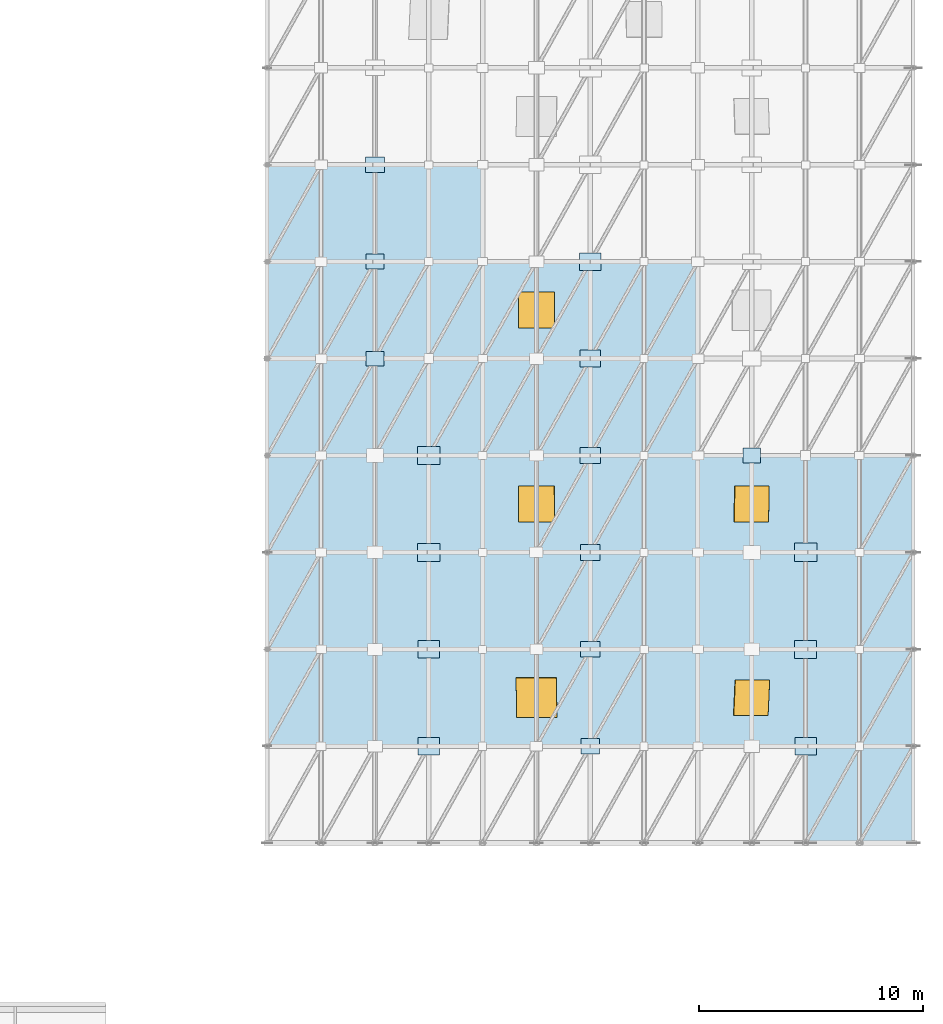
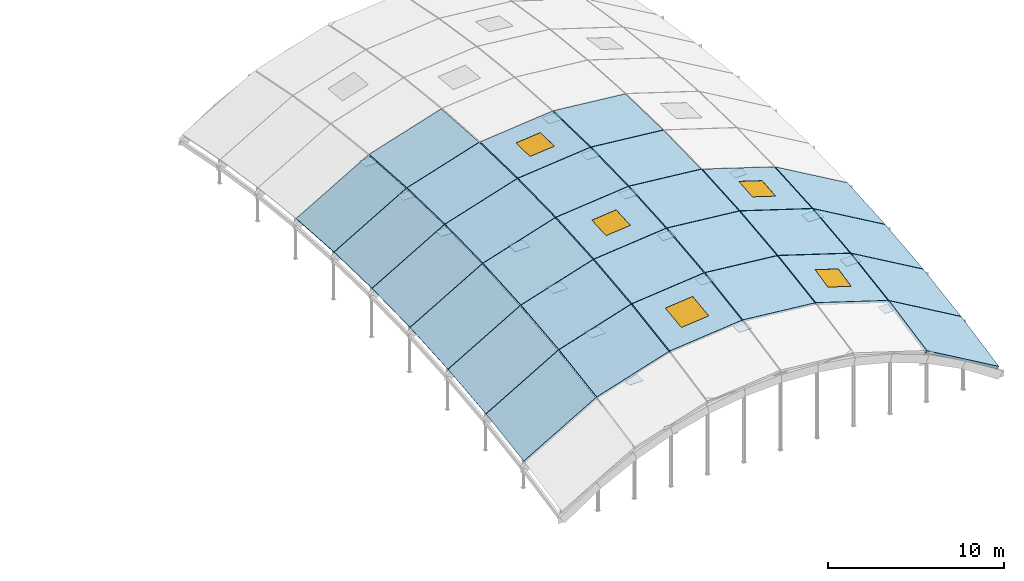
# One storey, part 22 of 35: 29 slabs, 17 plates, 5 windows, 5 openings.
"""IFC4 building model written with IfcOpenShell, lengths in metres."""

from ifc_helpers import new_model, si_unit, direction, frame, origin, origin_2d, place, context, subcontext, project, spatial, polyline, rectangle, outline, extrude, material, layer, layer_set, type_object, element, fill, save


model = new_model("IFC4")

# Units and contexts
model_context = context("Model", 3, precision=1e-05, world=origin(), true_north=direction((0.0, 1.0)))
body_context = subcontext(model_context, "Body", "Model", "MODEL_VIEW")
ifc_project = project(units=[si_unit("LENGTHUNIT", "METRE"), si_unit("AREAUNIT", "SQUARE_METRE"), si_unit("VOLUMEUNIT", "CUBIC_METRE"), si_unit("PLANEANGLEUNIT", "RADIAN"), si_unit("MASSUNIT", "GRAM", prefix="KILO")], contexts=[model_context])

# Site, building, storey
site_placement = place(None, origin())
site = spatial("IfcSite", under=ifc_project, at=site_placement, CompositionType="ELEMENT")
building_placement = place(site_placement, origin())
building = spatial("IfcBuilding", under=site, at=building_placement, Name="Zarrinpeak Specialist Clinic", CompositionType="ELEMENT")
storey_placement = place(building_placement, frame((0.0, 0.0, 31.60009765625)))
storey = spatial("IfcBuildingStorey", under=building, at=storey_placement, Name="RF", CompositionType="ELEMENT", Elevation=31.60009765625)

# Plates
ifc_material_1 = material(Name="Steel S355", Category="steel")
ifc_layer_1 = layer(ifc_material_1, 0.02294921875)
ifc_layer_set_1 = layer_set([ifc_layer_1], Name="Steel S355")
plate_type_1 = type_object("IfcPlateType", Name="PL-ND24", PredefinedType="SHEET", material=ifc_layer_set_1)
for number, where, z_axis, x_axis, name in (
    (1, (98.39990234375, 50.39990234375, -12.415283203125), (0.0, 0.0, 1.0), (1.0, 0.0, 0.0), "V3 Gridshell Hub Node Plate GSN-I02-J05"),
    (2, (115.199951171875, 46.080078125, -11.613037109375), (0.0, 0.0, 1.0), (1.0, 0.0, 0.0), "V3 Gridshell Hub Node Plate GSN-I09-J04"),
):
    element("IfcPlate", number, at=place(storey_placement, frame(where, z_axis=z_axis, x_axis=x_axis)), inside=storey, type_object=plate_type_1, Name=name, PredefinedType="SHEET", context=body_context, shape_type="SweptSolid", body=[
        extrude(rectangle(XDim=0.7939453125, YDim=0.64794921875, at=origin_2d()), origin(), (0.0, 0.0, 1.0), 0.02294921875),
    ])
ifc_layer_2 = layer(ifc_material_1, 0.014892578125)
ifc_layer_set_2 = layer_set([ifc_layer_2], Name="Steel S355")
plate_type_2 = type_object("IfcPlateType", Name="PL-ND25", PredefinedType="SHEET", material=ifc_layer_set_2)
plate_1_placement = place(storey_placement, frame((98.39990234375, 54.719970703125, -12.50732421875), z_axis=(0.0, 0.0, 1.0), x_axis=(1.0, 0.0, 0.0)))
element("IfcPlate", 3, at=plate_1_placement, inside=storey, type_object=plate_type_2, Name="V3 Gridshell Hub Node Plate GSN-I02-J06", PredefinedType="SHEET", context=body_context, shape_type="SweptSolid", body=[
    extrude(rectangle(XDim=0.81494140625, YDim=0.6650390625, at=origin_2d()), origin(), (0.0, 0.0, 1.0), 0.014892578125),
])
ifc_layer_3 = layer(ifc_material_1, 0.01708984375)
ifc_layer_set_3 = layer_set([ifc_layer_3], Name="Steel S355")
plate_type_3 = type_object("IfcPlateType", Name="PL-ND26", PredefinedType="SHEET", material=ifc_layer_set_3)
for number, where, z_axis, x_axis, name in (
    (4, (98.39990234375, 59.0400390625, -12.796142578125), (0.0, 0.0, 1.0), (1.0, 0.0, 0.0), "V3 Gridshell Hub Node Plate GSN-I02-J07"),
    (5, (108.0, 33.1201171875, -11.944580078125), (0.0, 0.0, 1.0), (1.0, 0.0, 0.0), "V3 Gridshell Hub Node Plate GSN-I06-J01"),
):
    element("IfcPlate", number, at=place(storey_placement, frame(where, z_axis=z_axis, x_axis=x_axis)), inside=storey, type_object=plate_type_3, Name=name, PredefinedType="SHEET", context=body_context, shape_type="SweptSolid", body=[
        extrude(rectangle(XDim=0.8359375, YDim=0.681884765625, at=origin_2d()), origin(), (0.0, 0.0, 1.0), 0.01708984375),
    ])
ifc_layer_4 = layer(ifc_material_1, 0.01904296875)
ifc_layer_set_4 = layer_set([ifc_layer_4], Name="Steel S355")
plate_type_4 = type_object("IfcPlateType", Name="PL-ND27", PredefinedType="SHEET", material=ifc_layer_set_4)
plate_2_placement = place(storey_placement, frame((108.0, 37.43994140625, -11.273681640625), z_axis=(0.0, 0.0, 1.0), x_axis=(1.0, 0.0, 0.0)))
element("IfcPlate", 6, at=plate_2_placement, inside=storey, type_object=plate_type_4, Name="V3 Gridshell Hub Node Plate GSN-I06-J02", PredefinedType="SHEET", context=body_context, shape_type="SweptSolid", body=[
    extrude(rectangle(XDim=0.85693359375, YDim=0.698974609375, at=origin_2d()), origin(), (0.0, 0.0, 1.0), 0.01904296875),
])
ifc_layer_5 = layer(ifc_material_1, 0.02099609375)
ifc_layer_set_5 = layer_set([ifc_layer_5], Name="Steel S355")
plate_type_5 = type_object("IfcPlateType", Name="PL-ND28", PredefinedType="SHEET", material=ifc_layer_set_5)
plate_3_placement = place(storey_placement, frame((108.0, 41.760009765625, -10.794677734375), z_axis=(0.0, 0.0, 1.0), x_axis=(1.0, 0.0, 0.0)))
element("IfcPlate", 7, at=plate_3_placement, inside=storey, type_object=plate_type_5, Name="V3 Gridshell Hub Node Plate GSN-I06-J03", PredefinedType="SHEET", context=body_context, shape_type="SweptSolid", body=[
    extrude(rectangle(XDim=0.8779296875, YDim=0.716064453125, at=origin_2d()), origin(), (0.0, 0.0, 1.0), 0.02099609375),
])
ifc_layer_6 = layer(ifc_material_1, 0.02294921875)
ifc_layer_set_6 = layer_set([ifc_layer_6], Name="Steel S355")
plate_type_6 = type_object("IfcPlateType", Name="PL-ND29", PredefinedType="SHEET", material=ifc_layer_set_6)
plate_4_placement = place(storey_placement, frame((108.0, 46.080078125, -10.507568359375), z_axis=(0.0, 0.0, 1.0), x_axis=(1.0, 0.0, 0.0)))
element("IfcPlate", 8, at=plate_4_placement, inside=storey, type_object=plate_type_6, Name="V3 Gridshell Hub Node Plate GSN-I06-J04", PredefinedType="SHEET", context=body_context, shape_type="SweptSolid", body=[
    extrude(rectangle(XDim=0.89892578125, YDim=0.73291015625, at=origin_2d()), origin(), (0.0, 0.0, 1.0), 0.02294921875),
])
ifc_layer_7 = layer(ifc_material_1, 0.014892578125)
ifc_layer_set_7 = layer_set([ifc_layer_7], Name="Steel S355")
plate_type_7 = type_object("IfcPlateType", Name="PL-ND30", PredefinedType="SHEET", material=ifc_layer_set_7)
plate_5_placement = place(storey_placement, frame((108.0, 50.39990234375, -10.40771484375), z_axis=(0.0, 0.0, 1.0), x_axis=(1.0, 0.0, 0.0)))
element("IfcPlate", 9, at=plate_5_placement, inside=storey, type_object=plate_type_7, Name="V3 Gridshell Hub Node Plate GSN-I06-J05", PredefinedType="SHEET", context=body_context, shape_type="SweptSolid", body=[
    extrude(rectangle(XDim=0.919921875, YDim=0.75, at=origin_2d()), origin(), (0.0, 0.0, 1.0), 0.014892578125),
])
ifc_layer_8 = layer(ifc_material_1, 0.01708984375)
ifc_layer_set_8 = layer_set([ifc_layer_8], Name="Steel S355")
plate_type_8 = type_object("IfcPlateType", Name="PL-ND31", PredefinedType="SHEET", material=ifc_layer_set_8)
for number, where, z_axis, x_axis, name in (
    (10, (100.800048828125, 33.1201171875, -13.050048828125), (0.0, 0.0, 1.0), (1.0, 0.0, 0.0), "V3 Gridshell Hub Node Plate GSN-I03-J01"),
    (11, (108.0, 54.719970703125, -10.504638671875), (0.0, 0.0, 1.0), (1.0, 0.0, 0.0), "V3 Gridshell Hub Node Plate GSN-I06-J06"),
):
    element("IfcPlate", number, at=place(storey_placement, frame(where, z_axis=z_axis, x_axis=x_axis)), inside=storey, type_object=plate_type_8, Name=name, PredefinedType="SHEET", context=body_context, shape_type="SweptSolid", body=[
        extrude(rectangle(XDim=0.94091796875, YDim=0.76708984375, at=origin_2d()), origin(), (0.0, 0.0, 1.0), 0.01708984375),
    ])
ifc_layer_9 = layer(ifc_material_1, 0.01904296875)
ifc_layer_set_9 = layer_set([ifc_layer_9], Name="Steel S355")
plate_type_9 = type_object("IfcPlateType", Name="PL-ND32", PredefinedType="SHEET", material=ifc_layer_set_9)
for number, where, z_axis, x_axis, name in (
    (12, (100.800048828125, 37.43994140625, -12.379150390625), (0.0, 0.0, 1.0), (1.0, 0.0, 0.0), "V3 Gridshell Hub Node Plate GSN-I03-J02"),
    (13, (117.60009765625, 33.1201171875, -13.94921875), (0.0, 0.0, 1.0), (1.0, 0.0, 0.0), "V3 Gridshell Hub Node Plate GSN-I10-J01"),
):
    element("IfcPlate", number, at=place(storey_placement, frame(where, z_axis=z_axis, x_axis=x_axis)), inside=storey, type_object=plate_type_9, Name=name, PredefinedType="SHEET", context=body_context, shape_type="SweptSolid", body=[
        extrude(rectangle(XDim=0.9619140625, YDim=0.783935546875, at=origin_2d()), origin(), (0.0, 0.0, 1.0), 0.01904296875),
    ])
ifc_layer_10 = layer(ifc_material_1, 0.02099609375)
ifc_layer_set_10 = layer_set([ifc_layer_10], Name="Steel S355")
plate_type_10 = type_object("IfcPlateType", Name="PL-ND33", PredefinedType="SHEET", material=ifc_layer_set_10)
for number, where, z_axis, x_axis, name in (
    (14, (100.800048828125, 41.760009765625, -11.900146484375), (0.0, 0.0, 1.0), (1.0, 0.0, 0.0), "V3 Gridshell Hub Node Plate GSN-I03-J03"),
    (15, (117.60009765625, 37.43994140625, -13.278076171875), (0.0, 0.0, 1.0), (1.0, 0.0, 0.0), "V3 Gridshell Hub Node Plate GSN-I10-J02"),
):
    element("IfcPlate", number, at=place(storey_placement, frame(where, z_axis=z_axis, x_axis=x_axis)), inside=storey, type_object=plate_type_10, Name=name, PredefinedType="SHEET", context=body_context, shape_type="SweptSolid", body=[
        extrude(rectangle(XDim=0.98291015625, YDim=0.801025390625, at=origin_2d()), origin(), (0.0, 0.0, 1.0), 0.02099609375),
    ])
ifc_layer_11 = layer(ifc_material_1, 0.02294921875)
ifc_layer_set_11 = layer_set([ifc_layer_11], Name="Steel S355")
plate_type_11 = type_object("IfcPlateType", Name="PL-ND34", PredefinedType="SHEET", material=ifc_layer_set_11)
for number, where, z_axis, x_axis, name in (
    (16, (100.800048828125, 46.080078125, -11.613037109375), (0.0, 0.0, 1.0), (1.0, 0.0, 0.0), "V3 Gridshell Hub Node Plate GSN-I03-J04"),
    (17, (117.60009765625, 41.760009765625, -12.799072265625), (0.0, 0.0, 1.0), (1.0, 0.0, 0.0), "V3 Gridshell Hub Node Plate GSN-I10-J03"),
):
    element("IfcPlate", number, at=place(storey_placement, frame(where, z_axis=z_axis, x_axis=x_axis)), inside=storey, type_object=plate_type_11, Name=name, PredefinedType="SHEET", context=body_context, shape_type="SweptSolid", body=[
        extrude(rectangle(XDim=1.00390625, YDim=0.818115234375, at=origin_2d()), origin(), (0.0, 0.0, 1.0), 0.02294921875),
    ])

# Slabs
ifc_material_2 = material(Name="Precast concrete C40/50", Category="concrete")
ifc_layer_12 = layer(ifc_material_2, 0.1650390625)
ifc_layer_set_12 = layer_set([ifc_layer_12], Name="Precast concrete C40/50")
slab_type_1 = type_object("IfcSlabType", Name="SL-GS165", PredefinedType="ROOF", material=ifc_layer_set_12)
slab_1_placement = place(storey_placement, frame((98.431884765625, 33.132080078125, -13.40380859375), z_axis=(-0.298336454683, -0.146725332873, 0.943115600815), x_axis=(0.953434208832, 3.400543e-06, 0.301601076619)))
element("IfcSlab", 18, at=slab_1_placement, inside=storey, type_object=slab_type_1, Name="V3 Translational Gridshell Vault Roof Panel K01-J01", PredefinedType="ROOF", context=body_context, shape_type="SweptSolid", body=[
    extrude(outline(polyline([(0.0, 0.0), (4.9674306700045525, 5.551115123125783e-17), (5.1689790056155305, 4.342882695591802), (0.20162196868632395, 4.342916848896772), (0.0, 0.0)])), origin(), (0.0, 0.0, -1.0), 0.1650390625),
])
slab_2_placement = place(storey_placement, frame((98.431884765625, 37.451904296875, -12.732177734375), z_axis=(-0.299944942498, -0.105335046415, 0.94812317737), x_axis=(0.953427294255, 0.0, 0.301622934422)))
element("IfcSlab", 19, at=slab_2_placement, inside=storey, type_object=slab_type_1, Name="V3 Translational Gridshell Vault Roof Panel K01-J02", PredefinedType="ROOF", context=body_context, shape_type="SweptSolid", body=[
    extrude(outline(polyline([(0.0, 0.0), (4.9674306713386525, 2.7755575615628914e-17), (5.111393766259116, 4.320176630801929), (0.14396309492046364, 4.320176630801929), (0.0, 0.0)])), origin(), (0.0, 0.0, -1.0), 0.1650390625),
])
slab_3_placement = place(storey_placement, frame((98.431884765625, 41.77197265625, -12.252685546875), z_axis=(-0.301015617944, -0.063426628548, 0.95150757251), x_axis=(0.953427294255, 0.0, 0.301622934422)))
element("IfcSlab", 20, at=slab_3_placement, inside=storey, type_object=slab_type_1, Name="V3 Translational Gridshell Vault Roof Panel K01-J03", PredefinedType="ROOF", context=body_context, shape_type="SweptSolid", body=[
    extrude(outline(polyline([(0.0, 0.0), (4.9674306713386525, 0.0), (5.053808528290931, 4.304810295087115), (0.08637785695227819, 4.304810295087115), (0.0, 0.0)])), origin(), (0.0, 0.0, -1.0), 0.1650390625),
])
slab_4_placement = place(storey_placement, frame((98.431884765625, 46.092041015625, -11.96533203125), z_axis=(-0.301555265545, -0.021181316031, 0.953213393566), x_axis=(0.953427294255, 0.0, 0.301622934422)))
element("IfcSlab", 21, at=slab_4_placement, inside=storey, type_object=slab_type_1, Name="V3 Translational Gridshell Vault Roof Panel K01-J04", PredefinedType="ROOF", context=body_context, shape_type="SweptSolid", body=[
    extrude(outline(polyline([(0.0, 0.0), (4.9674306713386525, 3.469446951953614e-18), (4.996223290322745, 4.296862435324744), (0.02879261898409273, 4.296862435324744), (0.0, 0.0)])), origin(), (0.0, 0.0, -1.0), 0.1650390625),
])
slab_5_placement = place(storey_placement, frame((98.431884765625, 50.412109375, -11.869873046875), z_axis=(-0.301555265545, 0.021181316031, 0.953213393566), x_axis=(0.953427294255, 0.0, 0.301622934422)))
element("IfcSlab", 22, at=slab_5_placement, inside=storey, type_object=slab_type_1, Name="V3 Translational Gridshell Vault Roof Panel K01-J05", PredefinedType="ROOF", context=body_context, shape_type="SweptSolid", body=[
    extrude(outline(polyline([(0.0, 0.0), (4.9674306713386525, -3.469446951953614e-18), (4.93863805235456, 4.296862435324743), (-0.02879261898409273, 4.296862435324744), (0.0, 0.0)])), origin(), (0.0, 0.0, -1.0), 0.1650390625),
])
slab_6_placement = place(storey_placement, frame((98.431884765625, 54.73193359375, -11.96630859375), z_axis=(-0.301015617944, 0.063426628548, 0.95150757251), x_axis=(0.953427294255, 0.0, 0.301622934422)))
element("IfcSlab", 23, at=slab_6_placement, inside=storey, type_object=slab_type_1, Name="V3 Translational Gridshell Vault Roof Panel K01-J06", PredefinedType="ROOF", context=body_context, shape_type="SweptSolid", body=[
    extrude(outline(polyline([(0.0, 0.0), (4.9674306713386525, 0.0), (4.881052814386374, 4.304810295087115), (-0.08637785695227819, 4.304810295087115), (0.0, 0.0)])), origin(), (0.0, 0.0, -1.0), 0.1650390625),
])

# Slab, opening, window
slab_7_placement = place(storey_placement, frame((103.23193359375, 33.132080078125, -11.892333984375), z_axis=(-0.099316237718, -0.152965858718, 0.98322821918), x_axis=(0.994937223112, -3.856881e-06, 0.100498368401)))
slab_7 = element("IfcSlab", 24, at=slab_7_placement, inside=storey, type_object=slab_type_1, Name="V3 Translational Gridshell Vault Roof Panel K02-J01", PredefinedType="ROOF", context=body_context, shape_type="SweptSolid", body=[
    extrude(outline(polyline([(0.0, 0.0), (4.760171751671796, 1.3877787807814457e-17), (4.827334023888144, 4.347075730042867), (0.06713773648187651, 4.347038573839314), (0.0, 0.0)])), origin(), (0.0, 0.0, -1.0), 0.1650390625),
])
opening_1_placement = place(slab_7_placement, frame((2.413818359375, 2.173583984375, 0.0)))
opening_1 = element("IfcOpeningElement", 25, at=opening_1_placement, cuts=slab_7, Name="Opening SK-03", PredefinedType="OPENING", context=body_context, shape_type="SweptSolid", body=[
    extrude(rectangle(XDim=1.800048828125, YDim=1.800048828125, at=origin_2d()), frame((0.0, 0.0, 0.010009765625), z_axis=(0.0, 0.0, 1.0), x_axis=(1.0, 0.0, 0.0)), (0.0, 0.0, -1.0), 0.18505859375),
])
ifc_material_3 = material(Name="Thermally Broken Aluminium and Low-E Glazing", Category="aluminium")
window_type_1 = type_object("IfcWindowType", Name="WN-SKY180", PartitioningType="SINGLE_PANEL", PredefinedType="SKYLIGHT", material=ifc_material_3)
window_1_placement = place(opening_1_placement, frame((0.0, 0.0, -0.0048828125)))
window_1 = element("IfcWindow", 26, at=window_1_placement, inside=storey, type_object=window_type_1, Name="V3 Gridshell Vault Skylight SKY-GS-054", OverallHeight=1.800048828125, OverallWidth=1.800048828125, PartitioningType="SINGLE_PANEL", PredefinedType="SKYLIGHT", context=body_context, shape_type="SweptSolid", body=[
    extrude(rectangle(XDim=1.800048828125, YDim=1.800048828125, at=origin_2d()), origin(), (0.0, 0.0, -1.0), 0.06005859375),
])
fill(opening_1, window_1)

# Slab
slab_8_placement = place(storey_placement, frame((103.23193359375, 37.451904296875, -11.220947265625), z_axis=(-0.099915807489, -0.109866579045, 0.98891160688), x_axis=(0.994934598654, 0.0, 0.100524347305)))
element("IfcSlab", 27, at=slab_8_placement, inside=storey, type_object=slab_type_1, Name="V3 Translational Gridshell Vault Roof Panel K02-J02", PredefinedType="ROOF", context=body_context, shape_type="SweptSolid", body=[
    extrude(outline(polyline([(0.0, 0.0), (4.760196289064403, 0.0), (4.80817604955769, 4.322308345850534), (0.047979760493286616, 4.322308345850534), (0.0, 0.0)])), origin(), (0.0, 0.0, -1.0), 0.1650390625),
])

# Slab, opening, window
slab_9_placement = place(storey_placement, frame((103.23193359375, 41.77197265625, -10.741455078125), z_axis=(-0.100253333122, -0.066176395097, 0.992758759181), x_axis=(0.994939726955, 0.0, 0.100473577252)))
slab_9 = element("IfcSlab", 28, at=slab_9_placement, inside=storey, type_object=slab_type_1, Name="V3 Translational Gridshell Vault Roof Panel K02-J03", PredefinedType="ROOF", context=body_context, shape_type="SweptSolid", body=[
    extrude(outline(polyline([(0.0, 0.0), (4.760171753184925, -6.938893903907228e-18), (4.788945070107837, 4.305580670141128), (0.028773316922912014, 4.305580670141128), (0.0, 0.0)])), origin(), (0.0, 0.0, -1.0), 0.1650390625),
])
opening_2_placement = place(slab_9_placement, frame((2.39453125, 2.152587890625, 0.0)))
opening_2 = element("IfcOpeningElement", 29, at=opening_2_placement, cuts=slab_9, Name="Opening SK-01", PredefinedType="OPENING", context=body_context, shape_type="SweptSolid", body=[
    extrude(rectangle(XDim=1.60009765625, YDim=1.60009765625, at=origin_2d()), frame((0.0, 0.0, 0.010009765625), z_axis=(0.0, 0.0, 1.0), x_axis=(1.0, 0.0, 0.0)), (0.0, 0.0, -1.0), 0.18505859375),
])
window_type_2 = type_object("IfcWindowType", Name="WN-SKY160", PartitioningType="SINGLE_PANEL", PredefinedType="SKYLIGHT", material=ifc_material_3)
window_2_placement = place(opening_2_placement, frame((0.0, 0.0, -0.0048828125)))
window_2 = element("IfcWindow", 30, at=window_2_placement, inside=storey, type_object=window_type_2, Name="V3 Gridshell Vault Skylight SKY-GS-055", OverallHeight=1.60009765625, OverallWidth=1.60009765625, PartitioningType="SINGLE_PANEL", PredefinedType="SKYLIGHT", context=body_context, shape_type="SweptSolid", body=[
    extrude(rectangle(XDim=1.60009765625, YDim=1.60009765625, at=origin_2d()), origin(), (0.0, 0.0, -1.0), 0.06005859375),
])
fill(opening_2, window_2)

# Slab
slab_10_placement = place(storey_placement, frame((103.23193359375, 46.092041015625, -10.4541015625), z_axis=(-0.100474347428, -0.022131308011, 0.994693475758), x_axis=(0.994937161866, 5.64523e-07, 0.10049897481)))
element("IfcSlab", 31, at=slab_10_placement, inside=storey, type_object=slab_type_1, Name="V3 Translational Gridshell Vault Roof Panel K02-J04", PredefinedType="ROOF", context=body_context, shape_type="SweptSolid", body=[
    extrude(outline(polyline([(0.0, 0.0), (4.760196287515787, 0.0), (4.769792242714798, 4.296948185155744), (0.00962049108153341, 4.296953560937984), (0.0, 0.0)])), origin(), (0.0, 0.0, -1.0), 0.1650390625),
])

# Slab, opening, window
slab_11_placement = place(storey_placement, frame((103.23193359375, 50.412109375, -10.3583984375), z_axis=(-0.100474347428, 0.022131308011, 0.994693475758), x_axis=(0.994937164378, 5.64526e-07, 0.100498949943)))
slab_11 = element("IfcSlab", 32, at=slab_11_placement, inside=storey, type_object=slab_type_1, Name="V3 Translational Gridshell Vault Roof Panel K02-J05", PredefinedType="ROOF", context=body_context, shape_type="SweptSolid", body=[
    extrude(outline(polyline([(0.0, 0.0), (4.7601717516363005, -1.734723475976807e-18), (4.750580649089458, 4.296948195989957), (-0.009615638423293478, 4.296953571799908), (0.0, 0.0)])), origin(), (0.0, 0.0, -1.0), 0.1650390625),
])
opening_3_placement = place(slab_11_placement, frame((2.37548828125, 2.1484375, 0.0)))
opening_3 = element("IfcOpeningElement", 33, at=opening_3_placement, cuts=slab_11, Name="Opening SK-01", PredefinedType="OPENING", context=body_context, shape_type="SweptSolid", body=[
    extrude(rectangle(XDim=1.60009765625, YDim=1.60009765625, at=origin_2d()), frame((0.0, 0.0, 0.010009765625), z_axis=(0.0, 0.0, 1.0), x_axis=(1.0, 0.0, 0.0)), (0.0, 0.0, -1.0), 0.18505859375),
])
window_3_placement = place(opening_3_placement, frame((0.0, 0.0, -0.0048828125)))
window_3 = element("IfcWindow", 34, at=window_3_placement, inside=storey, type_object=window_type_2, Name="V3 Gridshell Vault Skylight SKY-GS-056", OverallHeight=1.60009765625, OverallWidth=1.60009765625, PartitioningType="SINGLE_PANEL", PredefinedType="SKYLIGHT", context=body_context, shape_type="SweptSolid", body=[
    extrude(rectangle(XDim=1.60009765625, YDim=1.60009765625, at=origin_2d()), origin(), (0.0, 0.0, -1.0), 0.06005859375),
])
fill(opening_3, window_3)

# Slabs
slab_12_placement = place(storey_placement, frame((108.031982421875, 33.132080078125, -11.4140625), z_axis=(0.099316237718, -0.152965858718, 0.98322821918), x_axis=(0.994937223112, 3.856881e-06, -0.100498368401)))
element("IfcSlab", 35, at=slab_12_placement, inside=storey, type_object=slab_type_1, Name="V3 Translational Gridshell Vault Roof Panel K03-J01", PredefinedType="ROOF", context=body_context, shape_type="SweptSolid", body=[
    extrude(outline(polyline([(0.0, 0.0), (4.760171751671796, -1.3877787807814457e-17), (4.693034015189919, 4.347038573839314), (-0.06716227221634943, 4.347075730042867), (0.0, 0.0)])), origin(), (0.0, 0.0, -1.0), 0.1650390625),
])
slab_13_placement = place(storey_placement, frame((108.031982421875, 37.451904296875, -10.742431640625), z_axis=(0.099915807489, -0.109866579045, 0.98891160688), x_axis=(0.994934598654, 0.0, -0.100524347305)))
element("IfcSlab", 36, at=slab_13_placement, inside=storey, type_object=slab_type_1, Name="V3 Translational Gridshell Vault Roof Panel K03-J02", PredefinedType="ROOF", context=body_context, shape_type="SweptSolid", body=[
    extrude(outline(polyline([(0.0, 0.0), (4.760196289064403, 0.0), (4.712216528571116, 4.3223083458505345), (-0.047979760493286616, 4.322308345850534), (0.0, 0.0)])), origin(), (0.0, 0.0, -1.0), 0.1650390625),
])
slab_14_placement = place(storey_placement, frame((108.031982421875, 41.77197265625, -10.26318359375), z_axis=(0.100253333122, -0.066176395097, 0.992758759181), x_axis=(0.994939726955, 0.0, -0.100473577252)))
element("IfcSlab", 37, at=slab_14_placement, inside=storey, type_object=slab_type_1, Name="V3 Translational Gridshell Vault Roof Panel K03-J03", PredefinedType="ROOF", context=body_context, shape_type="SweptSolid", body=[
    extrude(outline(polyline([(0.0, 0.0), (4.760171753184925, 6.938893903907228e-18), (4.731398436262013, 4.305580670141128), (-0.028773316922912014, 4.305580670141128), (0.0, 0.0)])), origin(), (0.0, 0.0, -1.0), 0.1650390625),
])
slab_15_placement = place(storey_placement, frame((108.031982421875, 46.092041015625, -9.9755859375), z_axis=(0.100474347428, -0.022131308011, 0.994693475758), x_axis=(0.994937161866, -5.64523e-07, -0.10049897481)))
element("IfcSlab", 38, at=slab_15_placement, inside=storey, type_object=slab_type_1, Name="V3 Translational Gridshell Vault Roof Panel K03-J04", PredefinedType="ROOF", context=body_context, shape_type="SweptSolid", body=[
    extrude(outline(polyline([(0.0, 0.0), (4.760196287515787, 0.0), (4.750575796434253, 4.296953560937984), (-0.009595955199011512, 4.296948185155744), (0.0, 0.0)])), origin(), (0.0, 0.0, -1.0), 0.1650390625),
])
slab_16_placement = place(storey_placement, frame((108.031982421875, 50.412109375, -9.880126953125), z_axis=(0.100474347428, 0.022131308011, 0.994693475758), x_axis=(0.994937164378, -5.64526e-07, -0.100498949943)))
element("IfcSlab", 39, at=slab_16_placement, inside=storey, type_object=slab_type_1, Name="V3 Translational Gridshell Vault Roof Panel K03-J05", PredefinedType="ROOF", context=body_context, shape_type="SweptSolid", body=[
    extrude(outline(polyline([(0.0, 0.0), (4.7601717516363005, 1.734723475976807e-18), (4.769787390059594, 4.296953571799909), (0.009591102546842601, 4.296948195989958), (0.0, 0.0)])), origin(), (0.0, 0.0, -1.0), 0.1650390625),
])

# Slab, opening, window
slab_17_placement = place(storey_placement, frame((112.83203125, 33.132080078125, -11.905517578125), z_axis=(0.298336454683, -0.146725332873, 0.943115600815), x_axis=(0.953434208832, -3.400543e-06, -0.301601076619)))
slab_17 = element("IfcSlab", 40, at=slab_17_placement, inside=storey, type_object=slab_type_1, Name="V3 Translational Gridshell Vault Roof Panel K04-J01", PredefinedType="ROOF", context=body_context, shape_type="SweptSolid", body=[
    extrude(outline(polyline([(0.0, 0.0), (4.9674306700045525, -5.551115123125783e-17), (4.765808701318228, 4.342916848896772), (-0.2015483356109774, 4.342882695591802), (0.0, 0.0)])), origin(), (0.0, 0.0, -1.0), 0.1650390625),
])
opening_4_placement = place(slab_17_placement, frame((2.3828125, 2.17138671875, 0.0)))
opening_4 = element("IfcOpeningElement", 41, at=opening_4_placement, cuts=slab_17, Name="Opening SK-01", PredefinedType="OPENING", context=body_context, shape_type="SweptSolid", body=[
    extrude(rectangle(XDim=1.60009765625, YDim=1.60009765625, at=origin_2d()), frame((0.0, 0.0, 0.010009765625), z_axis=(0.0, 0.0, 1.0), x_axis=(1.0, 0.0, 0.0)), (0.0, 0.0, -1.0), 0.18505859375),
])
window_4_placement = place(opening_4_placement, frame((0.0, 0.0, -0.0048828125)))
window_4 = element("IfcWindow", 42, at=window_4_placement, inside=storey, type_object=window_type_2, Name="V3 Gridshell Vault Skylight SKY-GS-059", OverallHeight=1.60009765625, OverallWidth=1.60009765625, PartitioningType="SINGLE_PANEL", PredefinedType="SKYLIGHT", context=body_context, shape_type="SweptSolid", body=[
    extrude(rectangle(XDim=1.60009765625, YDim=1.60009765625, at=origin_2d()), origin(), (0.0, 0.0, -1.0), 0.06005859375),
])
fill(opening_4, window_4)

# Slab
slab_18_placement = place(storey_placement, frame((112.83203125, 37.451904296875, -11.23388671875), z_axis=(0.299944942498, -0.105335046415, 0.94812317737), x_axis=(0.953427294255, 0.0, -0.301622934422)))
element("IfcSlab", 43, at=slab_18_placement, inside=storey, type_object=slab_type_1, Name="V3 Translational Gridshell Vault Roof Panel K04-J02", PredefinedType="ROOF", context=body_context, shape_type="SweptSolid", body=[
    extrude(outline(polyline([(0.0, 0.0), (4.9674306713386525, -2.7755575615628914e-17), (4.823467576418189, 4.320176630801929), (-0.14396309492046364, 4.320176630801929), (0.0, 0.0)])), origin(), (0.0, 0.0, -1.0), 0.1650390625),
])

# Slab, opening, window
slab_19_placement = place(storey_placement, frame((112.83203125, 41.77197265625, -10.75439453125), z_axis=(0.301015617944, -0.063426628548, 0.95150757251), x_axis=(0.953427294255, 0.0, -0.301622934422)))
slab_19 = element("IfcSlab", 44, at=slab_19_placement, inside=storey, type_object=slab_type_1, Name="V3 Translational Gridshell Vault Roof Panel K04-J03", PredefinedType="ROOF", context=body_context, shape_type="SweptSolid", body=[
    extrude(outline(polyline([(0.0, 0.0), (4.9674306713386525, 0.0), (4.881052814386374, 4.304810295087115), (-0.08637785695227819, 4.304810295087115), (0.0, 0.0)])), origin(), (0.0, 0.0, -1.0), 0.1650390625),
])
opening_5_placement = place(slab_19_placement, frame((2.4404296875, 2.15234375, 0.0)))
opening_5 = element("IfcOpeningElement", 45, at=opening_5_placement, cuts=slab_19, Name="Opening SK-01", PredefinedType="OPENING", context=body_context, shape_type="SweptSolid", body=[
    extrude(rectangle(XDim=1.60009765625, YDim=1.60009765625, at=origin_2d()), frame((0.0, 0.0, 0.010009765625), z_axis=(0.0, 0.0, 1.0), x_axis=(1.0, 0.0, 0.0)), (0.0, 0.0, -1.0), 0.18505859375),
])
window_5_placement = place(opening_5_placement, frame((0.0, 0.0, -0.0048828125)))
window_5 = element("IfcWindow", 46, at=window_5_placement, inside=storey, type_object=window_type_2, Name="V3 Gridshell Vault Skylight SKY-GS-060", OverallHeight=1.60009765625, OverallWidth=1.60009765625, PartitioningType="SINGLE_PANEL", PredefinedType="SKYLIGHT", context=body_context, shape_type="SweptSolid", body=[
    extrude(rectangle(XDim=1.60009765625, YDim=1.60009765625, at=origin_2d()), origin(), (0.0, 0.0, -1.0), 0.06005859375),
])
fill(opening_5, window_5)

# Slabs
ifc_layer_13 = layer(ifc_material_2, 0.179931640625)
ifc_layer_set_13 = layer_set([ifc_layer_13], Name="Precast concrete C40/50")
slab_type_2 = type_object("IfcSlabType", Name="SL-GS180", PredefinedType="ROOF", material=ifc_layer_set_13)
slab_20_placement = place(storey_placement, frame((93.632080078125, 33.132080078125, -16.18994140625), z_axis=(-0.498818644652, -0.13323521209, 0.85640430756), x_axis=(0.864108484203, -2.541464e-06, 0.503305600527)))
element("IfcSlab", 47, at=slab_20_placement, inside=storey, type_object=slab_type_2, Name="V3 Translational Gridshell Vault Roof Panel K00-J01", PredefinedType="ROOF", context=body_context, shape_type="SweptSolid", body=[
    extrude(outline(polyline([(0.0, 0.0), (5.4805476199523575, 1.1102230246251565e-16), (5.816974869620867, 4.334558210786199), (0.33630437232463034, 4.334530102645356), (0.0, 0.0)])), origin(), (0.0, 0.0, -1.0), 0.179931640625),
])
slab_21_placement = place(storey_placement, frame((93.632080078125, 37.451904296875, -15.5185546875), z_axis=(-0.501019122985, -0.0955607119, 0.860144167419), x_axis=(0.864098625371, 0.0, 0.50332252645)))
element("IfcSlab", 48, at=slab_21_placement, inside=storey, type_object=slab_type_2, Name="V3 Translational Gridshell Vault Roof Panel K00-J02", PredefinedType="ROOF", context=body_context, shape_type="SweptSolid", body=[
    extrude(outline(polyline([(0.0, 0.0), (5.480670498365358, 0.0), (5.720903784305044, 4.315893819633751), (0.240233285939686, 4.315893819633751), (0.0, 0.0)])), origin(), (0.0, 0.0, -1.0), 0.179931640625),
])
slab_22_placement = place(storey_placement, frame((93.632080078125, 41.77197265625, -15.0390625), z_axis=(-0.502456401724, -0.057505998218, 0.862688022715), x_axis=(0.86411799902, 0.0, 0.503289264508)))
element("IfcSlab", 49, at=slab_22_placement, inside=storey, type_object=slab_type_2, Name="V3 Translational Gridshell Vault Roof Panel K00-J03", PredefinedType="ROOF", context=body_context, shape_type="SweptSolid", body=[
    extrude(outline(polyline([(0.0, 0.0), (5.480547620949424, -2.7755575615628914e-17), (5.624678067059815, 4.303263787564469), (0.14413044611039094, 4.303263787564469), (0.0, 0.0)])), origin(), (0.0, 0.0, -1.0), 0.179931640625),
])
slab_23_placement = place(storey_placement, frame((93.632080078125, 46.092041015625, -14.751708984375), z_axis=(-0.503212902035, -0.019222317474, 0.863948654572), x_axis=(0.864108308668, 3.69888e-07, 0.503305901904)))
element("IfcSlab", 50, at=slab_23_placement, inside=storey, type_object=slab_type_2, Name="V3 Translational Gridshell Vault Roof Panel K00-J04", PredefinedType="ROOF", context=body_context, shape_type="SweptSolid", body=[
    extrude(outline(polyline([(0.0, 0.0), (5.480670497350671, 1.3877787807814457e-17), (5.528717156576878, 4.296690273969921), (0.04816953664366435, 4.296694329140358), (0.0, 0.0)])), origin(), (0.0, 0.0, -1.0), 0.179931640625),
])
slab_24_placement = place(storey_placement, frame((93.632080078125, 50.412109375, -14.656005859375), z_axis=(-0.503212902035, 0.019222317474, 0.863948654572), x_axis=(0.864108315826, 3.69896e-07, 0.503305889613)))
element("IfcSlab", 51, at=slab_24_placement, inside=storey, type_object=slab_type_2, Name="V3 Translational Gridshell Vault Roof Panel K00-J05", PredefinedType="ROOF", context=body_context, shape_type="SweptSolid", body=[
    extrude(outline(polyline([(0.0, 0.0), (5.480547619934713, 6.938893903907228e-18), (5.432504139918441, 4.2966903095194615), (-0.048166357430728106, 4.296694364780818), (0.0, 0.0)])), origin(), (0.0, 0.0, -1.0), 0.179931640625),
])
slab_25_placement = place(storey_placement, frame((93.632080078125, 54.73193359375, -14.752685546875), z_axis=(-0.502456401724, 0.057505998218, 0.862688022715), x_axis=(0.86411799902, 0.0, 0.503289264508)))
element("IfcSlab", 52, at=slab_25_placement, inside=storey, type_object=slab_type_2, Name="V3 Translational Gridshell Vault Roof Panel K00-J06", PredefinedType="ROOF", context=body_context, shape_type="SweptSolid", body=[
    extrude(outline(polyline([(0.0, 0.0), (5.480547620949424, 2.7755575615628914e-17), (5.336417174839033, 4.30326378756447), (-0.14413044611039094, 4.303263787564469), (0.0, 0.0)])), origin(), (0.0, 0.0, -1.0), 0.179931640625),
])
slab_26_placement = place(storey_placement, frame((117.632080078125, 28.81201171875, -14.295166015625), z_axis=(0.495952751422, -0.170311308346, 0.851483955578), x_axis=(0.864108593221, 3.230026e-06, -0.503305413353)))
element("IfcSlab", 53, at=slab_26_placement, inside=storey, type_object=slab_type_2, Name="V3 Translational Gridshell Vault Roof Panel K05-J00", PredefinedType="ROOF", context=body_context, shape_type="SweptSolid", body=[
    extrude(outline(polyline([(0.0, 0.0), (5.480547619963781, 5.551115123125783e-17), (5.048156283526129, 4.359574169596764), (-0.43251421373583415, 4.3596100995447635), (0.0, 0.0)])), origin(), (0.0, 0.0, -1.0), 0.179931640625),
])
slab_27_placement = place(storey_placement, frame((117.632080078125, 33.132080078125, -13.431640625), z_axis=(0.498818644652, -0.13323521209, 0.85640430756), x_axis=(0.864108484203, 2.541464e-06, -0.503305600527)))
element("IfcSlab", 54, at=slab_27_placement, inside=storey, type_object=slab_type_2, Name="V3 Translational Gridshell Vault Roof Panel K05-J01", PredefinedType="ROOF", context=body_context, shape_type="SweptSolid", body=[
    extrude(outline(polyline([(0.0, 0.0), (5.4805476199523575, -1.1102230246251565e-16), (5.144243247627727, 4.334530102645356), (-0.336427249668509, 4.334558210786199), (0.0, 0.0)])), origin(), (0.0, 0.0, -1.0), 0.179931640625),
])
slab_28_placement = place(storey_placement, frame((117.632080078125, 37.451904296875, -12.760009765625), z_axis=(0.501019122985, -0.0955607119, 0.860144167419), x_axis=(0.864098625371, 0.0, -0.50332252645)))
element("IfcSlab", 55, at=slab_28_placement, inside=storey, type_object=slab_type_2, Name="V3 Translational Gridshell Vault Roof Panel K05-J02", PredefinedType="ROOF", context=body_context, shape_type="SweptSolid", body=[
    extrude(outline(polyline([(0.0, 0.0), (5.480670498365358, 0.0), (5.240437212425672, 4.315893819633751), (-0.240233285939686, 4.315893819633751), (0.0, 0.0)])), origin(), (0.0, 0.0, -1.0), 0.179931640625),
])
slab_29_placement = place(storey_placement, frame((117.632080078125, 41.77197265625, -12.28076171875), z_axis=(0.502456401724, -0.057505998218, 0.862688022715), x_axis=(0.86411799902, 0.0, -0.503289264508)))
element("IfcSlab", 56, at=slab_29_placement, inside=storey, type_object=slab_type_2, Name="V3 Translational Gridshell Vault Roof Panel K05-J03", PredefinedType="ROOF", context=body_context, shape_type="SweptSolid", body=[
    extrude(outline(polyline([(0.0, 0.0), (5.480547620949424, 2.7755575615628914e-17), (5.336417174839033, 4.30326378756447), (-0.14413044611039094, 4.303263787564469), (0.0, 0.0)])), origin(), (0.0, 0.0, -1.0), 0.179931640625),
])

save(model, "model.ifc")
